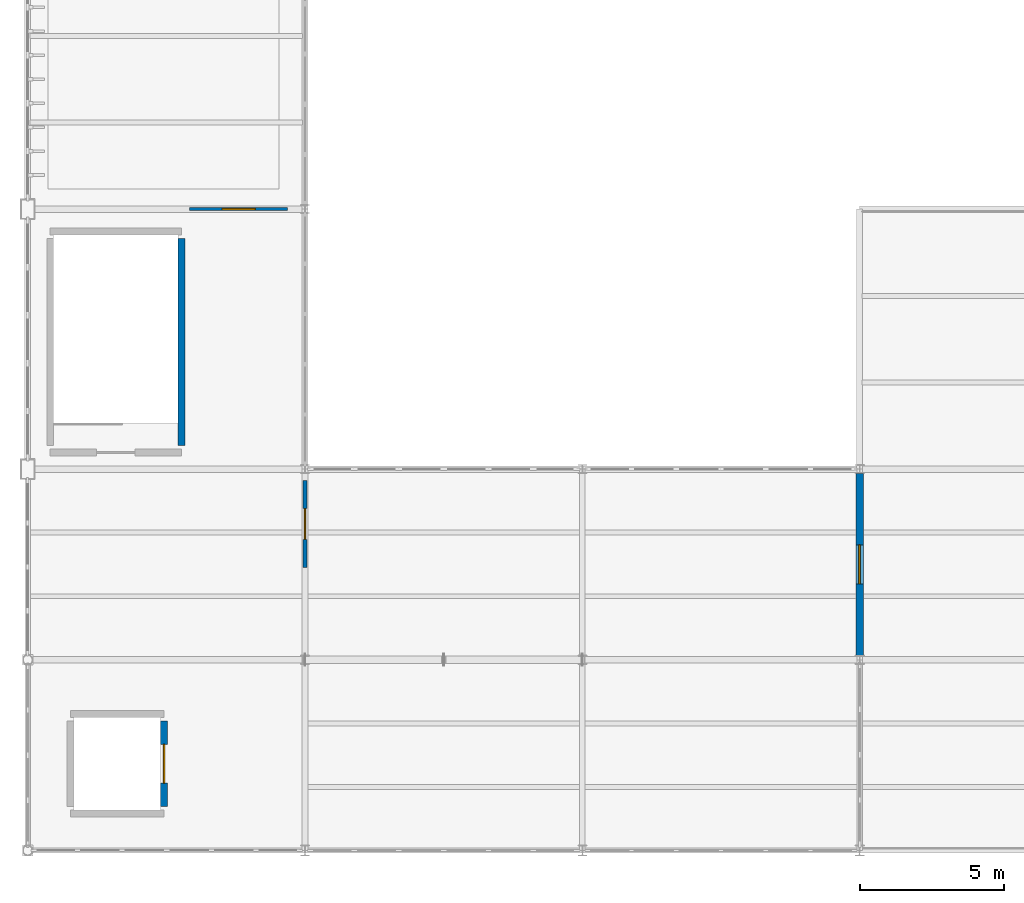
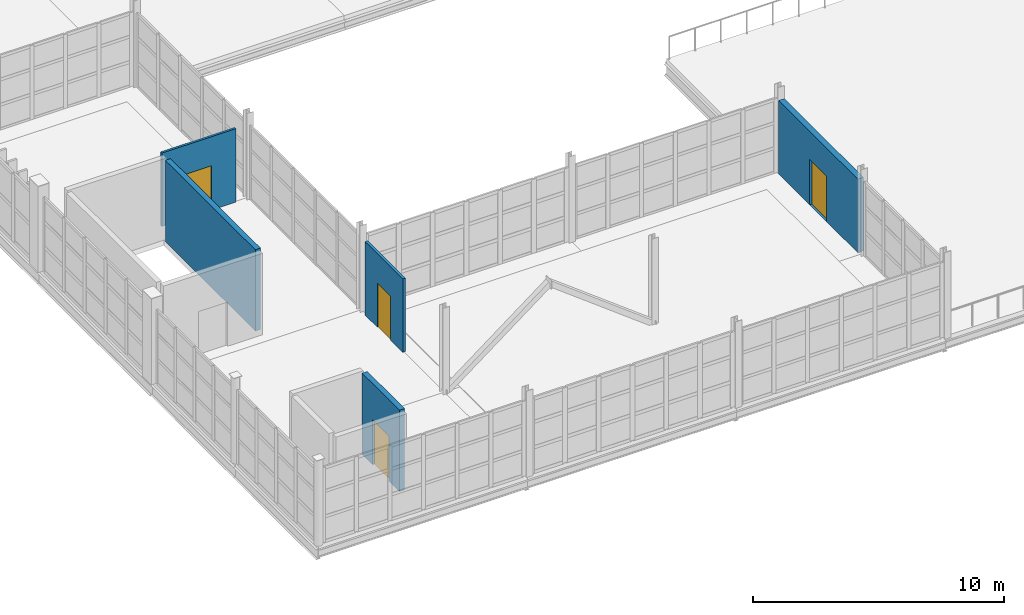
# One storey, part 72 of 82: 5 walls, 4 doors, 4 openings.
"""IFC4 building model written with IfcOpenShell, lengths in metres."""

from ifc_helpers import new_model, si_unit, direction, frame, frame_2d, origin, place, context, subcontext, project, spatial, rectangle, extrude, material, layer, layer_set, type_object, element, fill, save


model = new_model("IFC4")

# Units and contexts
model_context = context("Model", 3, precision=1e-05, world=origin(), true_north=direction((0.0, 1.0)))
body_context = subcontext(model_context, "Body", "Model", "MODEL_VIEW")
ifc_project = project(units=[si_unit("LENGTHUNIT", "METRE"), si_unit("AREAUNIT", "SQUARE_METRE"), si_unit("VOLUMEUNIT", "CUBIC_METRE"), si_unit("PLANEANGLEUNIT", "RADIAN"), si_unit("MASSUNIT", "GRAM", prefix="KILO")], contexts=[model_context])

# Site, building, storey
site_placement = place(None, origin())
site = spatial("IfcSite", under=ifc_project, at=site_placement, CompositionType="ELEMENT")
building_placement = place(site_placement, origin())
building = spatial("IfcBuilding", under=site, at=building_placement, Name="Zarnetskaya Central Station", CompositionType="ELEMENT")
storey_placement = place(building_placement, frame((0.0, 0.0, 10.199951171875)))
storey = spatial("IfcBuildingStorey", under=building, at=storey_placement, Name="L02", CompositionType="ELEMENT", Elevation=10.199951171875)

# Wall, opening, door
ifc_material_1 = material(Name="Gypsum stud partition")
ifc_layer_1 = layer(ifc_material_1, 0.10009765625, Name="Gypsum stud partition")
ifc_layer_set_1 = layer_set([ifc_layer_1], Name="Gypsum stud partition")
wall_type_1 = type_object("IfcWallType", Name="PART-LGT-100", PredefinedType="PARTITIONING", material=ifc_layer_set_1)
wall_1_placement = place(storey_placement, frame((133.800048828125, 22.199951171875, 0.0), z_axis=(0.0, 0.0, 1.0), x_axis=(-1.0, 0.0, 0.0)))
wall_1 = element("IfcWall", 1, at=wall_1_placement, inside=storey, type_object=wall_type_1, Name="Interior partition IPRT-L02-0420", PredefinedType="PARTITIONING", context=body_context, shape_type="SweptSolid", body=[
    extrude(rectangle(XDim=3.400146484375, YDim=0.10009765625, at=frame_2d((1.7001953125, 0.0))), origin(), (0.0, 0.0, 1.0), 3.570068359375),
])
opening_1_placement = place(wall_1_placement, frame((1.1298828125, 0.0, 0.0)))
opening_1 = element("IfcOpeningElement", 2, at=opening_1_placement, cuts=wall_1, Name="Opening DR-20", PredefinedType="OPENING", context=body_context, shape_type="SweptSolid", body=[
    extrude(rectangle(XDim=1.139892578125, YDim=2.159912109375, at=frame_2d((0.56982421875, 1.080078125))), frame((0.0, 0.06005859375, 0.0), z_axis=(0.0, -1.0, 0.0), x_axis=(1.0, 0.0, 0.0)), (0.0, 0.0, 1.0), 0.1201171875),
])
ifc_material_2 = material(Name="Anodised aluminium", Category="aluminium")
door_type_1 = type_object("IfcDoorType", Name="DR-INT-23", OperationType="NOTDEFINED", PredefinedType="DOOR", material=ifc_material_2)
door_1_placement = place(opening_1_placement, origin())
door_1 = element("IfcDoor", 3, at=door_1_placement, inside=storey, type_object=door_type_1, Name="Railway Heritage Bookshop and Retail Gallery door", OperationType="SINGLE_SWING_RIGHT", OverallHeight=2.159912109375, OverallWidth=1.139892578125, PredefinedType="DOOR", context=body_context, shape_type="SweptSolid", body=[
    extrude(rectangle(XDim=1.139892578125, YDim=2.159912109375, at=frame_2d((0.56982421875, 1.080078125))), frame((0.0, 0.02490234375, 0.0), z_axis=(0.0, -1.0, 0.0), x_axis=(1.0, 0.0, 0.0)), (0.0, 0.0, 1.0), 0.050048828125),
])
fill(opening_1, door_1)

ifc_material_3 = material(Name="Gypsum acoustic partition")
ifc_layer_2 = layer(ifc_material_3, 0.1298828125, Name="Gypsum acoustic partition")
ifc_layer_set_2 = layer_set([ifc_layer_2], Name="Gypsum acoustic partition")
wall_type_2 = type_object("IfcWallType", Name="PART-OFF-130", PredefinedType="PARTITIONING", material=ifc_layer_set_2)
wall_2_placement = place(storey_placement, frame((134.39990234375, 9.800048828125, 0.0), z_axis=(0.0, 0.0, 1.0), x_axis=(0.0, 1.0, 0.0)))
wall_2 = element("IfcWall", 4, at=wall_2_placement, inside=storey, type_object=wall_type_2, Name="Interior partition IPRT-L02-0419", PredefinedType="PARTITIONING", context=body_context, shape_type="SweptSolid", body=[
    extrude(rectangle(XDim=3.0, YDim=0.1298828125, at=frame_2d((1.5, 0.0))), origin(), (0.0, 0.0, 1.0), 3.570068359375),
])
opening_2_placement = place(wall_2_placement, frame((0.969970703125, 0.0, 0.0)))
opening_2 = element("IfcOpeningElement", 5, at=opening_2_placement, cuts=wall_2, Name="Opening DR-03", PredefinedType="OPENING", context=body_context, shape_type="SweptSolid", body=[
    extrude(rectangle(XDim=1.06005859375, YDim=2.139892578125, at=frame_2d((0.530029296875, 1.06982421875))), frame((0.0, 0.074951171875, 0.0), z_axis=(0.0, -1.0, 0.0), x_axis=(1.0, 0.0, 0.0)), (0.0, 0.0, 1.0), 0.14990234375),
])
door_type_2 = type_object("IfcDoorType", Name="DR-INT-22", OperationType="NOTDEFINED", PredefinedType="DOOR", material=ifc_material_2)
door_2_placement = place(opening_2_placement, origin())
door_2 = element("IfcDoor", 6, at=door_2_placement, inside=storey, type_object=door_type_2, Name="Pavilion Exhibition Reading Room door", OperationType="SINGLE_SWING_LEFT", OverallHeight=2.139892578125, OverallWidth=1.06005859375, PredefinedType="DOOR", context=body_context, shape_type="SweptSolid", body=[
    extrude(rectangle(XDim=1.06005859375, YDim=2.139892578125, at=frame_2d((0.530029296875, 1.06982421875))), frame((0.0, 0.02490234375, 0.0), z_axis=(0.0, -1.0, 0.0), x_axis=(1.0, 0.0, 0.0)), (0.0, 0.0, 1.0), 0.050048828125),
])
fill(opening_2, door_2)

ifc_material_4 = material(Name="Precast concrete C40/50", Category="concrete")
ifc_layer_3 = layer(ifc_material_4, 0.260009765625, Name="Precast concrete C40/50", Category="concrete")
ifc_layer_set_3 = layer_set([ifc_layer_3], Name="Precast concrete C40/50")
wall_type_3 = type_object("IfcWallType", Name="WALL-PAV-260", PredefinedType="SOLIDWALL", material=ifc_layer_set_3)
wall_3_placement = place(storey_placement, frame((153.60009765625, 13.050048828125, 0.0), z_axis=(0.0, 0.0, 1.0), x_axis=(0.0, -1.0, 0.0)))
wall_3 = element("IfcWall", 7, at=wall_3_placement, inside=storey, type_object=wall_type_3, Name="Exterior precast wall EW-L02-1536-130-1536-68", PredefinedType="SOLIDWALL", context=body_context, shape_type="SweptSolid", body=[
    extrude(rectangle(XDim=6.300048828125, YDim=0.260009765625, at=frame_2d((3.14990234375, 0.0))), origin(), (0.0, 0.0, 1.0), 3.570068359375),
])
opening_3_placement = place(wall_3_placement, frame((2.47509765625, 0.0, 0.0)))
opening_3 = element("IfcOpeningElement", 8, at=opening_3_placement, cuts=wall_3, Name="Opening ED-07", PredefinedType="OPENING", context=body_context, shape_type="SweptSolid", body=[
    extrude(rectangle(XDim=1.35009765625, YDim=2.199951171875, at=frame_2d((0.675048828125, 1.10009765625))), frame((0.0, 0.14013671875, 0.0), z_axis=(0.0, -1.0, 0.0), x_axis=(1.0, 0.0, 0.0)), (0.0, 0.0, 1.0), 0.280029296875),
])
door_type_3 = type_object("IfcDoorType", Name="DR-TER-135x220", OperationType="NOTDEFINED", PredefinedType="DOOR", material=ifc_material_2)
door_3_placement = place(opening_3_placement, origin())
door_3 = element("IfcDoor", 9, at=door_3_placement, inside=storey, type_object=door_type_3, Name="Outdoor terrace access door L02", OperationType="SINGLE_SWING_RIGHT", OverallHeight=2.199951171875, OverallWidth=1.35009765625, PredefinedType="DOOR", context=body_context, shape_type="SweptSolid", body=[
    extrude(rectangle(XDim=1.35009765625, YDim=2.199951171875, at=frame_2d((0.675048828125, 1.10009765625))), frame((0.0, 0.02490234375, 0.0), z_axis=(0.0, -1.0, 0.0), x_axis=(1.0, 0.0, 0.0)), (0.0, 0.0, 1.0), 0.050048828125),
])
fill(opening_3, door_3)

ifc_material_5 = material(Name="Concrete C35/45", Category="concrete")
ifc_layer_4 = layer(ifc_material_5, 0.239990234375, Name="Concrete C35/45", Category="concrete")
ifc_layer_set_4 = layer_set([ifc_layer_4], Name="Concrete C35/45")
wall_type_4 = type_object("IfcWallType", Name="WALL-SHFT-240", PredefinedType="SHEAR", material=ifc_layer_set_4)
wall_4_placement = place(storey_placement, frame((129.52001953125, 4.47998046875, 0.0), z_axis=(0.0, 0.0, 1.0), x_axis=(0.0, -1.0, 0.0)))
wall_4 = element("IfcWall", 10, at=wall_4_placement, inside=storey, type_object=wall_type_4, Name="Core shear wall WSHF-L02-0188", PredefinedType="SHEAR", context=body_context, shape_type="SweptSolid", body=[
    extrude(rectangle(XDim=2.9599609375, YDim=0.239990234375, at=frame_2d((1.47998046875, 0.0))), origin(), (0.0, 0.0, 1.0), 3.949951171875),
])
opening_4_placement = place(wall_4_placement, frame((0.81005859375, 0.0, 0.0)))
opening_4 = element("IfcOpeningElement", 11, at=opening_4_placement, cuts=wall_4, Name="Opening DR-23", PredefinedType="OPENING", context=body_context, shape_type="SweptSolid", body=[
    extrude(rectangle(XDim=1.340087890625, YDim=2.179931640625, at=frame_2d((0.669921875, 1.08984375))), frame((0.0, 0.1298828125, 0.0), z_axis=(0.0, -1.0, 0.0), x_axis=(1.0, 0.0, 0.0)), (0.0, 0.0, 1.0), 0.260009765625),
])
door_type_4 = type_object("IfcDoorType", Name="DR-LIFT-PLAT", OperationType="NOTDEFINED", PredefinedType="DOOR", material=ifc_material_2)
door_4_placement = place(opening_4_placement, origin())
door_4 = element("IfcDoor", 12, at=door_4_placement, inside=storey, type_object=door_type_4, Name="Lift landing sliding door LP-07 L02", OperationType="DOUBLE_DOOR_SLIDING", OverallHeight=2.179931640625, OverallWidth=1.340087890625, PredefinedType="DOOR", context=body_context, shape_type="SweptSolid", body=[
    extrude(rectangle(XDim=1.340087890625, YDim=2.179931640625, at=frame_2d((0.669921875, 1.08984375))), frame((0.0, 0.02490234375, 0.0), z_axis=(0.0, -1.0, 0.0), x_axis=(1.0, 0.0, 0.0)), (0.0, 0.0, 1.0), 0.050048828125),
])
fill(opening_4, door_4)

# Wall
wall_5_placement = place(storey_placement, frame((130.1201171875, 21.179931640625, 0.0), z_axis=(0.0, 0.0, 1.0), x_axis=(0.0, -1.0, 0.0)))
element("IfcWall", 13, at=wall_5_placement, inside=storey, type_object=wall_type_4, Name="Core shear wall WSTR-L02-0300", PredefinedType="SHEAR", context=body_context, shape_type="SweptSolid", body=[
    extrude(rectangle(XDim=7.159912109375, YDim=0.239990234375, at=frame_2d((3.580078125, 0.0))), origin(), (0.0, 0.0, 1.0), 3.949951171875),
])

save(model, "model.ifc")
